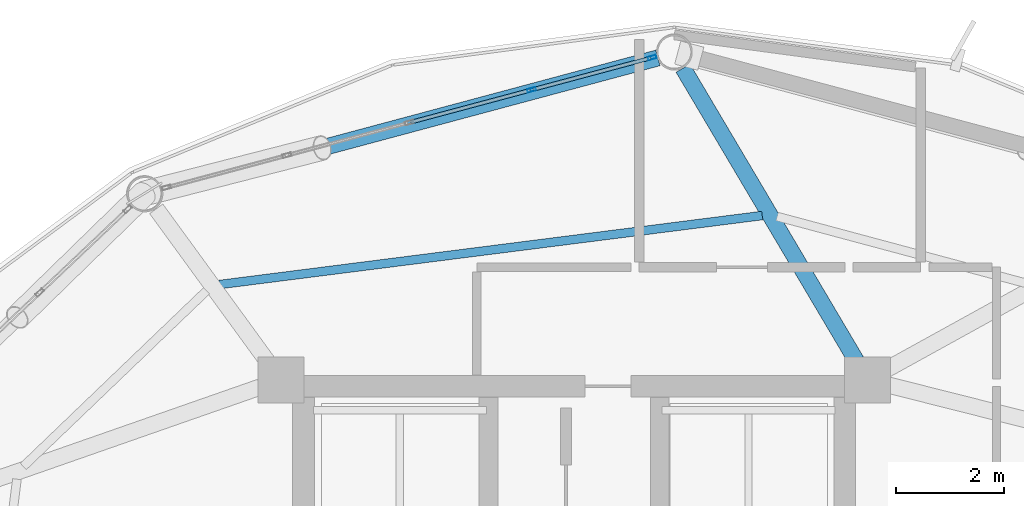
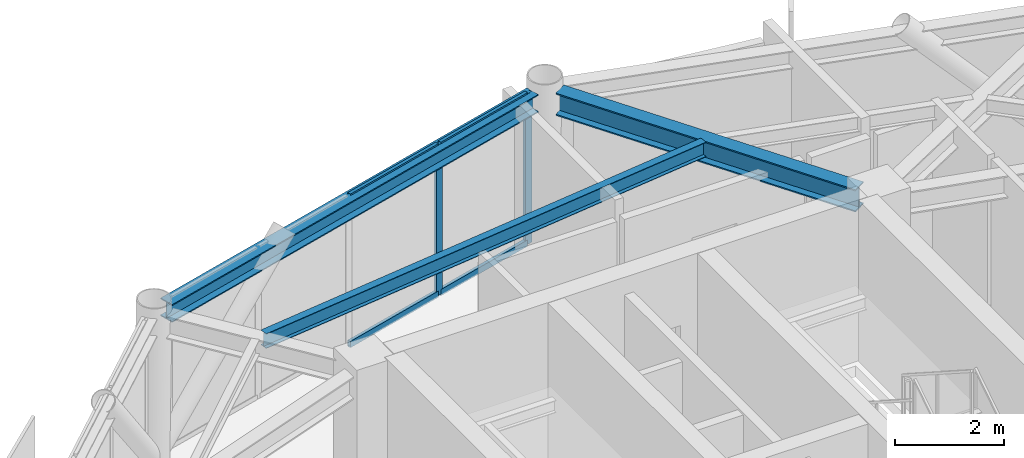
# One storey, part 21 of 29: 6 members, 3 beams, 1 element without a shape of its own.
"""IFC4 building model written with IfcOpenShell, lengths in metres."""

import ifcopenshell
import ifcopenshell.guid

model = None  # the IFC model being written
_history = None  # IfcOwnerHistory: only IFC2X3 demands one
_inside = {}  # id of a spatial element -> (the spatial element, [elements in it])
_under = {}  # id of a project, library or spatial element -> (it, [spatial elements below it])
_declared = {}  # id of a project -> (the project, [libraries it declares])
_typed = {}  # id of a type object -> (the type object, [elements of that type])
_made_of = {}  # id of a material, layer set ... -> (it, [elements and type objects made of it])


def new_model(schema):
    """Start an empty IFC model of exactly this schema.

    Asked for "IFC4X3", IfcOpenShell would pick the latest addendum, in which some entities
    have other attributes; the version numbers below select the first issue.
    IFC2X3 requires an IfcOwnerHistory on every rooted entity: one is made here for all.
    """
    global model, _history
    if schema == "IFC4X3":
        model = ifcopenshell.file(schema_version=(4, 3, 0, 0))
    else:
        model = ifcopenshell.file(schema=schema)
    _inside.clear()
    _under.clear()
    _declared.clear()
    _typed.clear()
    _made_of.clear()
    _history = None
    if model.schema == "IFC2X3":
        org = make("IfcOrganization", Name="unknown")
        user = make(
            "IfcPersonAndOrganization",
            ThePerson=make("IfcPerson", FamilyName="unknown"),
            TheOrganization=org,
        )
        app = make(
            "IfcApplication",
            ApplicationDeveloper=org,
            Version="unknown",
            ApplicationFullName="unknown",
            ApplicationIdentifier="unknown",
        )
        _history = make(
            "IfcOwnerHistory",
            OwningUser=user,
            OwningApplication=app,
            ChangeAction="ADDED",
            CreationDate=0,
        )
    return model


def make(cls, **values):
    """One entity of the class cls with the attributes given. An attribute that is None is left unset."""
    return model.create_entity(
        cls, **{name: value for name, value in values.items() if value is not None}
    )


def rooted(cls, **values):
    """An entity with a GlobalId (a new one), such as an element, a storey or a relation."""
    return make(cls, GlobalId=ifcopenshell.guid.new(), OwnerHistory=_history, **values)


def si_unit(unit_type, name, prefix=None):
    """IfcSIUnit, for example si_unit("LENGTHUNIT", "METRE", prefix="MILLI")."""
    return make("IfcSIUnit", UnitType=unit_type, Prefix=prefix, Name=name)


def assignment(units):
    """IfcUnitAssignment: the units of a project."""
    return None if units is None else make("IfcUnitAssignment", Units=units)


def point(xyz):
    """IfcCartesianPoint."""
    return None if xyz is None else make("IfcCartesianPoint", Coordinates=xyz)


def direction(xyz):
    """IfcDirection."""
    return None if xyz is None else make("IfcDirection", DirectionRatios=xyz)


def frame(location, z_axis=None, x_axis=None):
    """IfcAxis2Placement3D, a coordinate frame: its origin and axes. An axis left out is left unset."""
    return make(
        "IfcAxis2Placement3D",
        Location=point(location),
        Axis=direction(z_axis),
        RefDirection=direction(x_axis),
    )


def frame_2d(location, x_axis=None):
    """IfcAxis2Placement2D, a coordinate frame in the plane: its origin and x axis."""
    return make(
        "IfcAxis2Placement2D", Location=point(location), RefDirection=direction(x_axis)
    )


def origin():
    """The frame at (0, 0, 0) with its axes left unset."""
    return frame((0.0, 0.0, 0.0))


def origin_2d():
    """The frame at (0, 0) in the plane with its x axis left unset."""
    return frame_2d((0.0, 0.0))


def place(relative_to, where):
    """IfcLocalPlacement: puts the frame where relative to a parent placement (None: the world)."""
    return make(
        "IfcLocalPlacement", PlacementRelTo=relative_to, RelativePlacement=where
    )


def context(
    kind, dimensions, precision=None, world=None, true_north=None, identifier=None
):
    """IfcGeometricRepresentationContext, for example the 3D "Model" context."""
    return make(
        "IfcGeometricRepresentationContext",
        ContextIdentifier=identifier,
        ContextType=kind,
        CoordinateSpaceDimension=dimensions,
        Precision=precision,
        WorldCoordinateSystem=world,
        TrueNorth=true_north,
    )


def subcontext(parent, identifier, kind, view, scale=None):
    """IfcGeometricRepresentationSubContext, for example "Body" below "Model"."""
    return make(
        "IfcGeometricRepresentationSubContext",
        ContextIdentifier=identifier,
        ContextType=kind,
        ParentContext=parent,
        TargetScale=scale,
        TargetView=view,
    )


def project(units=None, contexts=None):
    """IfcProject with its units and contexts."""
    return rooted(
        "IfcProject",
        Name="project",
        RepresentationContexts=contexts,
        UnitsInContext=assignment(units),
    )


def spatial(cls, under=None, at=None, **own):
    """A site, building, storey or space (cls), placed at a placement, below another one or the project."""
    s = rooted(cls, ObjectPlacement=at, **own)
    if under is not None:
        _under.setdefault(under.id(), (under, []))[1].append(s)
    return s


def profile(cls, at=None, kind="AREA", **sizes):
    """A parametric profile (cls). Its sizes go by their IFC names, for example OverallWidth=200.0."""
    return make(cls, ProfileType=kind, Position=at, **sizes)


def hollow_rectangle(**sizes):
    """IfcRectangleHollowProfileDef."""
    return profile("IfcRectangleHollowProfileDef", **sizes)


def i_section(**sizes):
    """IfcIShapeProfileDef."""
    return profile("IfcIShapeProfileDef", **sizes)


def extrude(swept, where, along, depth):
    """IfcExtrudedAreaSolid: the profile swept, set in the frame where, extruded along a direction by depth."""
    return make(
        "IfcExtrudedAreaSolid",
        SweptArea=swept,
        Position=where,
        ExtrudedDirection=direction(along),
        Depth=depth,
    )


def shape(context_of_items, identifier, shape_type, items):
    """IfcShapeRepresentation: the items that make up one representation, for example the "Body"."""
    return make(
        "IfcShapeRepresentation",
        ContextOfItems=context_of_items,
        RepresentationIdentifier=identifier,
        RepresentationType=shape_type,
        Items=items,
    )


def material(Name=None, Category=None):
    """IfcMaterial."""
    return make("IfcMaterial", Name=Name, Category=Category)


def layer(
    of_material, thickness, ventilated=None, Name=None, Category=None, Priority=None
):
    """IfcMaterialLayer: one layer of a wall or slab, of a material (None: an air gap)."""
    return make(
        "IfcMaterialLayer",
        Material=of_material,
        LayerThickness=thickness,
        IsVentilated=ventilated,
        Name=Name,
        Category=Category,
        Priority=Priority,
    )


def layer_set(layers, Name=None):
    """IfcMaterialLayerSet."""
    return make("IfcMaterialLayerSet", MaterialLayers=layers, LayerSetName=Name)


def material_profile(
    of_material, cross_section, Name=None, Category=None, Priority=None
):
    """IfcMaterialProfile: a cross section and its material."""
    return make(
        "IfcMaterialProfile",
        Name=Name,
        Material=of_material,
        Profile=cross_section,
        Priority=Priority,
        Category=Category,
    )


def profile_set(profiles, Name=None, composite=None):
    """IfcMaterialProfileSet."""
    return make(
        "IfcMaterialProfileSet",
        Name=Name,
        MaterialProfiles=profiles,
        CompositeProfile=composite,
    )


def made_of(thing, what):
    """Note that an element or type object is made of a material, layer set ...; save() writes the relation."""
    if what is not None:
        _made_of.setdefault(what.id(), (what, []))[1].append(thing)
    return thing


def type_object(cls, material=None, **own):
    """A type object (cls), such as IfcWallType, which elements share."""
    return made_of(rooted(cls, **own), material)


def element(
    cls,
    number,
    at=None,
    inside=None,
    cuts=None,
    type_object=None,
    material=None,
    context=None,
    identifier="Body",
    shape_type=None,
    held_by="IfcProductDefinitionShape",
    body=None,
    shapes=None,
    **own,
):
    """One element of the class cls, such as IfcWall. Its Tag is "e" and its number.

    at: its placement. inside: the storey or other place that contains it. cuts: it is an
    opening in that element (IfcRelVoidsElement). A single representation is given by context,
    identifier, shape_type and body (its items); several are given by shapes. held_by: the class
    of the entity that holds the representations. save() writes the other relations.
    """
    e = rooted(cls, Tag="e%d" % number, ObjectPlacement=at, **own)
    if body is not None:
        shapes = [shape(context, identifier, shape_type, body)]
    if shapes is not None:
        e.Representation = make(held_by, Representations=shapes)
    if inside is not None:
        _inside.setdefault(inside.id(), (inside, []))[1].append(e)
    if cuts is not None:
        rooted(
            "IfcRelVoidsElement", RelatingBuildingElement=cuts, RelatedOpeningElement=e
        )
    if type_object is not None:
        _typed.setdefault(type_object.id(), (type_object, []))[1].append(e)
    return made_of(e, material)


def aggregate(whole, parts):
    """IfcRelAggregates: a whole, such as a stair, and the parts it consists of."""
    return rooted("IfcRelAggregates", RelatingObject=whole, RelatedObjects=parts)


def save(model, path):
    """Write the relations noted so far, then the file.

    IfcRelAggregates (storeys below a building ...), IfcRelContainedInSpatialStructure (elements
    in a storey), IfcRelDefinesByType, IfcRelAssociatesMaterial and IfcRelDeclares: one each for
    every whole, place, type object, material and project.
    """
    for whole, parts in _under.values():
        aggregate(whole, parts)
    for where, things in _inside.values():
        rooted(
            "IfcRelContainedInSpatialStructure",
            RelatedElements=things,
            RelatingStructure=where,
        )
    for kind, things in _typed.values():
        rooted("IfcRelDefinesByType", RelatedObjects=things, RelatingType=kind)
    for what, things in _made_of.values():
        rooted("IfcRelAssociatesMaterial", RelatedObjects=things, RelatingMaterial=what)
    for by, libraries in _declared.values():
        rooted("IfcRelDeclares", RelatingContext=by, RelatedDefinitions=libraries)
    model.write(path)


model = new_model("IFC4")

# Units and contexts
model_context = context("Model", 3, precision=1e-05, world=origin(), true_north=direction((0.0, 1.0)))
body_context = subcontext(model_context, "Body", "Model", "MODEL_VIEW")
ifc_project = project(units=[si_unit("LENGTHUNIT", "METRE"), si_unit("AREAUNIT", "SQUARE_METRE"), si_unit("VOLUMEUNIT", "CUBIC_METRE"), si_unit("PLANEANGLEUNIT", "RADIAN"), si_unit("MASSUNIT", "GRAM", prefix="KILO")], contexts=[model_context])

# Site, building, storey
site_placement = place(None, origin())
site = spatial("IfcSite", under=ifc_project, at=site_placement, CompositionType="ELEMENT")
building_placement = place(site_placement, origin())
building = spatial("IfcBuilding", under=site, at=building_placement, Name="Varnakorn Sky Granary", CompositionType="ELEMENT")
storey_placement = place(building_placement, frame((0.0, 0.0, 182.39990234375)))
storey = spatial("IfcBuildingStorey", under=building, at=storey_placement, Name="L45", CompositionType="ELEMENT", Elevation=182.39990234375)

# Beams
ifc_material_1 = material(Name="Steel S355JR", Category="steel")
ifc_material_profile_1 = material_profile(ifc_material_1, i_section(OverallWidth=0.300048828125, OverallDepth=0.5, WebThickness=0.014404296875, FlangeThickness=0.028076171875, at=origin_2d()), Name="HE 500 B")
ifc_profile_set_1 = profile_set([ifc_material_profile_1], Name="Steel S355JR")
beam_type_1 = type_object("IfcBeamType", Name="BM-RAD-Z4", PredefinedType="BEAM", material=ifc_profile_set_1)
beam_1_placement = place(storey_placement, frame((8.213623046875, 12.968505859375, 3.110107421875), z_axis=(-0.50958092621, 0.860422733104, 0.0), x_axis=(-0.860422733104, -0.50958092621, 0.0)))
element("IfcBeam", 1, at=beam_1_placement, inside=storey, type_object=beam_type_1, Name="Radial Floor Girder RG04 L45", PredefinedType="BEAM", context=body_context, shape_type="SweptSolid", body=[
    extrude(i_section(OverallWidth=0.300048828125, OverallDepth=0.5, WebThickness=0.014404296875, FlangeThickness=0.028076171875, at=origin_2d()), origin(), (0.0, 0.0, 1.0), 6.285888671875),
])
ifc_material_profile_2 = material_profile(ifc_material_1, i_section(OverallWidth=0.159912109375, OverallDepth=0.330078125, WebThickness=0.007568359375, FlangeThickness=0.011474609375, at=origin_2d()), Name="IPE 330")
ifc_profile_set_2 = profile_set([ifc_material_profile_2], Name="Steel S355JR")
beam_type_2 = type_object("IfcBeamType", Name="BM-SEC-Z4", PredefinedType="BEAM", material=ifc_profile_set_2)
beam_2_placement = place(storey_placement, frame((6.47314453125, 15.655029296875, 3.195068359375), z_axis=(-0.992011331089, -0.126148797029, 0.0), x_axis=(0.126148797029, -0.992011331089, 0.0)))
element("IfcBeam", 2, at=beam_2_placement, inside=storey, type_object=beam_type_2, Name="Secondary Floor Chord Beam MSB04 L45", PredefinedType="BEAM", context=body_context, shape_type="SweptSolid", body=[
    extrude(i_section(OverallWidth=0.159912109375, OverallDepth=0.330078125, WebThickness=0.007568359375, FlangeThickness=0.011474609375, at=origin_2d()), origin(), (0.0, 0.0, 1.0), 10.1044921875),
])
ifc_material_profile_3 = material_profile(ifc_material_1, i_section(OverallWidth=0.300048828125, OverallDepth=0.39990234375, WebThickness=0.013427734375, FlangeThickness=0.02392578125, at=origin_2d()), Name="HE 400 B")
ifc_profile_set_3 = profile_set([ifc_material_profile_3], Name="Steel S355JR")
beam_type_3 = type_object("IfcBeamType", Name="BM-SPD-Z4", PredefinedType="SPANDREL", material=ifc_profile_set_3)
beam_3_placement = place(storey_placement, frame((4.545654296875, 18.56640625, 3.16015625), z_axis=(-0.965896949724, -0.258926789875, 0.0), x_axis=(0.258926789875, -0.965896949724, 0.0)))
element("IfcBeam", 3, at=beam_3_placement, inside=storey, type_object=beam_type_3, Name="Perimeter Spandrel Ring Beam RB04 L45", PredefinedType="SPANDREL", context=body_context, shape_type="SweptSolid", body=[
    extrude(i_section(OverallWidth=0.300048828125, OverallDepth=0.39990234375, WebThickness=0.013427734375, FlangeThickness=0.02392578125, at=origin_2d()), origin(), (0.0, 0.0, 1.0), 9.470458984375),
])

# Curtain wall, members
ifc_material_2 = material(Name="Anodised Bronze Aluminium Alloy 6063-T6", Category="aluminium")
ifc_layer = layer(ifc_material_2, 0.169921875, Name="Anodised Bronze Aluminium Alloy 6063-T6")
ifc_layer_set = layer_set([ifc_layer], Name="Anodised Bronze Aluminium Alloy 6063-T6")
curtain_wall_type = type_object("IfcCurtainWallType", Name="CW-LAB-1", PredefinedType="USERDEFINED", material=ifc_layer_set)
curtain_wall_placement = place(storey_placement, origin())
curtain_wall = element("IfcCurtainWall", 4, at=curtain_wall_placement, inside=storey, type_object=curtain_wall_type, Name="Unitised Curtain Wall CW5 CW-L45-B04", ObjectType="CURTAIN WALL", PredefinedType="USERDEFINED")
ifc_material_profile_4 = material_profile(ifc_material_2, hollow_rectangle(XDim=0.06494140625, YDim=0.159912109375, WallThickness=0.00341796875, at=origin_2d()), Name="ALU MULL 65x160")
ifc_profile_set_4 = profile_set([ifc_material_profile_4], Name="Anodised Bronze Aluminium Alloy 6063-T6")
member_type_1 = type_object("IfcMemberType", Name="CW-LAB-1-MULL", PredefinedType="MULLION", material=ifc_profile_set_4)
member_1_placement = place(storey_placement, frame((2.214111328125, 17.9765625, 0.0), z_axis=(0.0, 0.0, 1.0), x_axis=(-0.25850488691, 0.966009949971, 0.0)))
member_1 = element("IfcMember", 5, at=member_1_placement, type_object=member_type_1, Name="CW5 mullion 4", PredefinedType="MULLION", context=body_context, shape_type="SweptSolid", body=[
    extrude(hollow_rectangle(XDim=0.06494140625, YDim=0.159912109375, WallThickness=0.00341796875, at=origin_2d()), origin(), (0.0, 0.0, 1.0), 3.360107421875),
])
member_2_placement = place(storey_placement, frame((4.44189453125, 18.57275390625, 0.0), z_axis=(0.0, 0.0, 1.0), x_axis=(-0.25850488691, 0.966009949971, 0.0)))
member_2 = element("IfcMember", 6, at=member_2_placement, type_object=member_type_1, Name="CW5 mullion 5", PredefinedType="MULLION", context=body_context, shape_type="SweptSolid", body=[
    extrude(hollow_rectangle(XDim=0.06494140625, YDim=0.159912109375, WallThickness=0.00341796875, at=origin_2d()), origin(), (0.0, 0.0, 1.0), 3.360107421875),
])
ifc_material_profile_5 = material_profile(ifc_material_2, hollow_rectangle(XDim=0.070068359375, YDim=0.139892578125, WallThickness=0.00341796875, at=origin_2d()), Name="ALU TRAN 70x140")
ifc_profile_set_5 = profile_set([ifc_material_profile_5], Name="Anodised Bronze Aluminium Alloy 6063-T6")
member_type_2 = type_object("IfcMemberType", Name="CW-LAB-1-TRAN", PredefinedType="USERDEFINED", material=ifc_profile_set_5)
member_3_placement = place(storey_placement, frame((-0.013671875, 17.380615234375, 0.03515625), z_axis=(0.966026116563, 0.258444466218, 0.0), x_axis=(-0.258444466218, 0.966026116563, 0.0)))
member_3 = element("IfcMember", 7, at=member_3_placement, type_object=member_type_2, Name="CW5 transom 3.1", ObjectType="TRANSOM", PredefinedType="USERDEFINED", context=body_context, shape_type="SweptSolid", body=[
    extrude(hollow_rectangle(XDim=0.070068359375, YDim=0.139892578125, WallThickness=0.00341796875, at=origin_2d()), origin(), (0.0, 0.0, 1.0), 2.273681640625),
])
member_4_placement = place(storey_placement, frame((-0.013671875, 17.380615234375, 3.3251953125), z_axis=(0.966026116563, 0.258444466218, 0.0), x_axis=(-0.258444466218, 0.966026116563, 0.0)))
member_4 = element("IfcMember", 8, at=member_4_placement, type_object=member_type_2, Name="CW5 transom 3.2", ObjectType="TRANSOM", PredefinedType="USERDEFINED", context=body_context, shape_type="SweptSolid", body=[
    extrude(hollow_rectangle(XDim=0.070068359375, YDim=0.139892578125, WallThickness=0.00341796875, at=origin_2d()), origin(), (0.0, 0.0, 1.0), 2.273681640625),
])
member_5_placement = place(storey_placement, frame((2.24560546875, 17.985107421875, 0.03515625), z_axis=(0.966004914921, 0.258523701715, 0.0), x_axis=(-0.258523701715, 0.966004914921, 0.0)))
member_5 = element("IfcMember", 9, at=member_5_placement, type_object=member_type_2, Name="CW5 transom 4.1", ObjectType="TRANSOM", PredefinedType="USERDEFINED", context=body_context, shape_type="SweptSolid", body=[
    extrude(hollow_rectangle(XDim=0.070068359375, YDim=0.139892578125, WallThickness=0.00341796875, at=origin_2d()), origin(), (0.0, 0.0, 1.0), 2.240966796875),
])
member_6_placement = place(storey_placement, frame((2.24560546875, 17.985107421875, 3.3251953125), z_axis=(0.966004914921, 0.258523701715, 0.0), x_axis=(-0.258523701715, 0.966004914921, 0.0)))
member_6 = element("IfcMember", 10, at=member_6_placement, type_object=member_type_2, Name="CW5 transom 4.2", ObjectType="TRANSOM", PredefinedType="USERDEFINED", context=body_context, shape_type="SweptSolid", body=[
    extrude(hollow_rectangle(XDim=0.070068359375, YDim=0.139892578125, WallThickness=0.00341796875, at=origin_2d()), origin(), (0.0, 0.0, 1.0), 2.240966796875),
])
aggregate(curtain_wall, [member_1, member_2, member_3, member_4, member_5, member_6])

save(model, "model.ifc")
